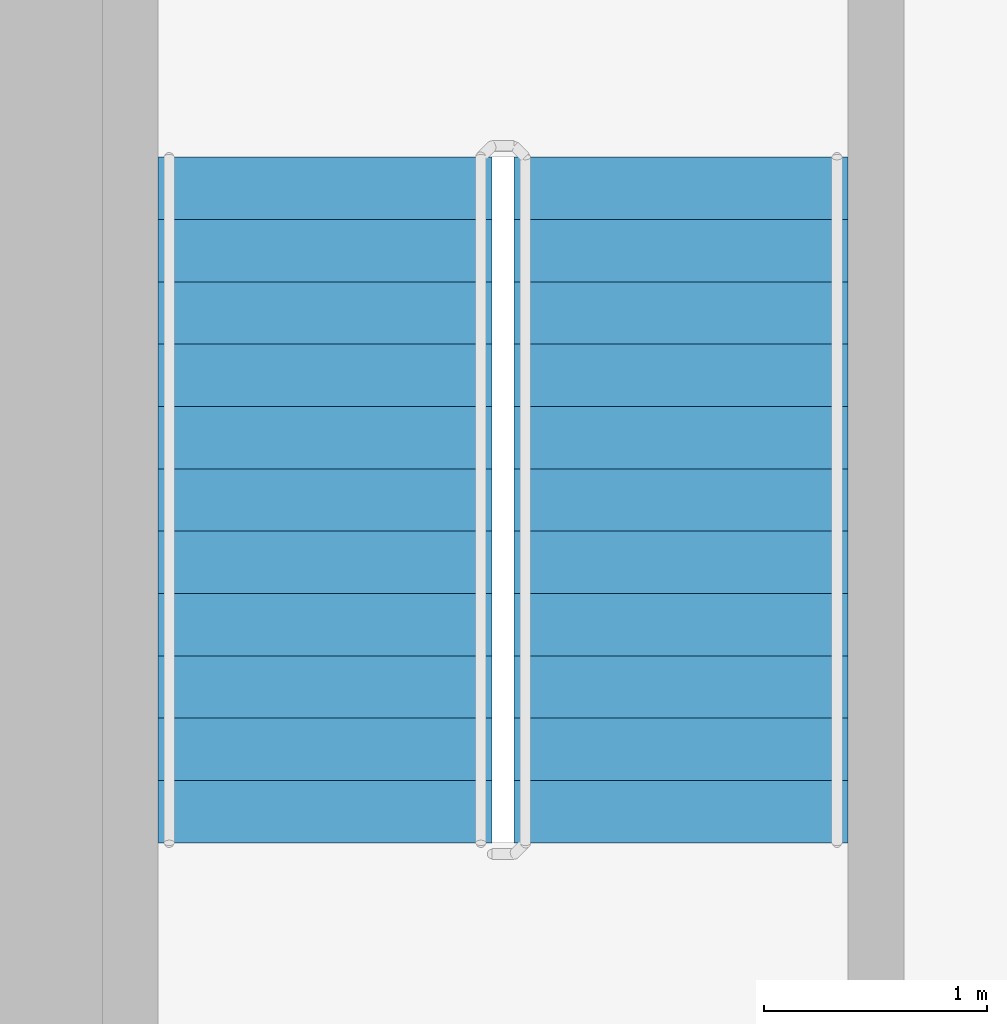
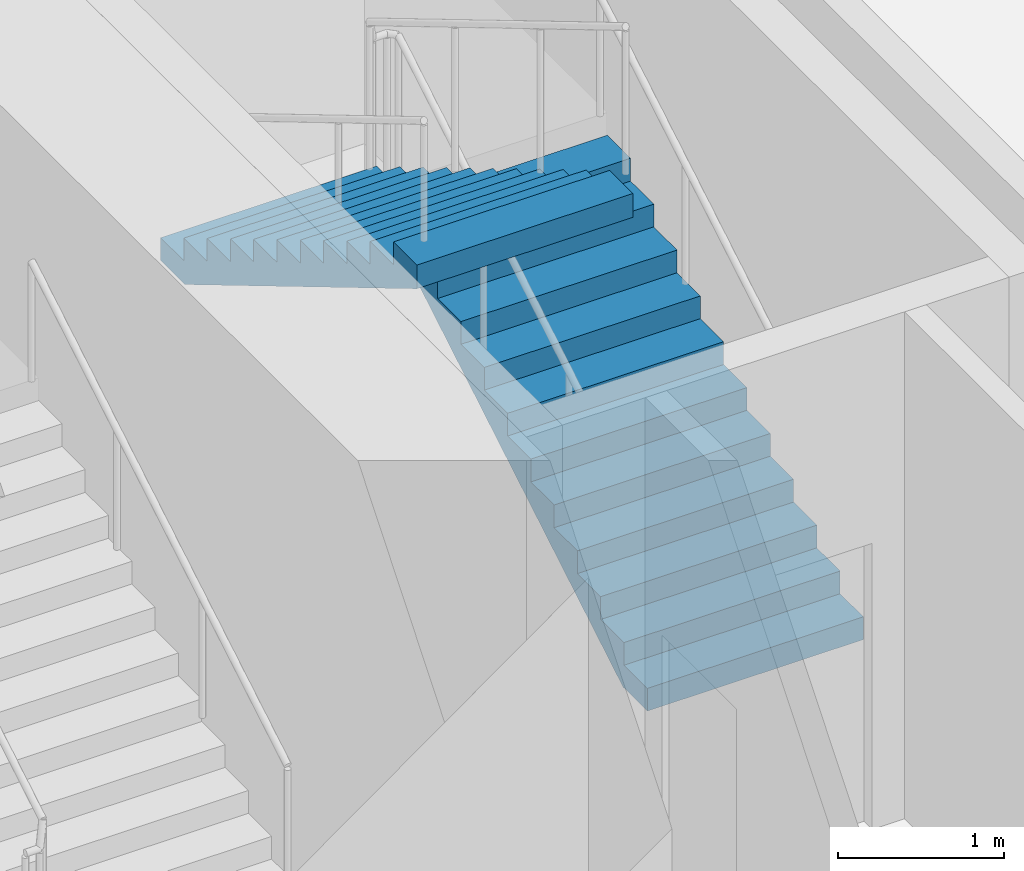
# One storey, part 18 of 26: 2 stair flights, 1 element without a shape of its own.
"""IFC4 building model written with IfcOpenShell, lengths in metres."""

import ifcopenshell
import ifcopenshell.guid

model = None  # the IFC model being written
_history = None  # IfcOwnerHistory: only IFC2X3 demands one
_inside = {}  # id of a spatial element -> (the spatial element, [elements in it])
_under = {}  # id of a project, library or spatial element -> (it, [spatial elements below it])
_declared = {}  # id of a project -> (the project, [libraries it declares])
_typed = {}  # id of a type object -> (the type object, [elements of that type])
_made_of = {}  # id of a material, layer set ... -> (it, [elements and type objects made of it])


def new_model(schema):
    """Start an empty IFC model of exactly this schema.

    Asked for "IFC4X3", IfcOpenShell would pick the latest addendum, in which some entities
    have other attributes; the version numbers below select the first issue.
    IFC2X3 requires an IfcOwnerHistory on every rooted entity: one is made here for all.
    """
    global model, _history
    if schema == "IFC4X3":
        model = ifcopenshell.file(schema_version=(4, 3, 0, 0))
    else:
        model = ifcopenshell.file(schema=schema)
    _inside.clear()
    _under.clear()
    _declared.clear()
    _typed.clear()
    _made_of.clear()
    _history = None
    if model.schema == "IFC2X3":
        org = make("IfcOrganization", Name="unknown")
        user = make(
            "IfcPersonAndOrganization",
            ThePerson=make("IfcPerson", FamilyName="unknown"),
            TheOrganization=org,
        )
        app = make(
            "IfcApplication",
            ApplicationDeveloper=org,
            Version="unknown",
            ApplicationFullName="unknown",
            ApplicationIdentifier="unknown",
        )
        _history = make(
            "IfcOwnerHistory",
            OwningUser=user,
            OwningApplication=app,
            ChangeAction="ADDED",
            CreationDate=0,
        )
    return model


def make(cls, **values):
    """One entity of the class cls with the attributes given. An attribute that is None is left unset."""
    return model.create_entity(
        cls, **{name: value for name, value in values.items() if value is not None}
    )


def rooted(cls, **values):
    """An entity with a GlobalId (a new one), such as an element, a storey or a relation."""
    return make(cls, GlobalId=ifcopenshell.guid.new(), OwnerHistory=_history, **values)


def si_unit(unit_type, name, prefix=None):
    """IfcSIUnit, for example si_unit("LENGTHUNIT", "METRE", prefix="MILLI")."""
    return make("IfcSIUnit", UnitType=unit_type, Prefix=prefix, Name=name)


def assignment(units):
    """IfcUnitAssignment: the units of a project."""
    return None if units is None else make("IfcUnitAssignment", Units=units)


def point(xyz):
    """IfcCartesianPoint."""
    return None if xyz is None else make("IfcCartesianPoint", Coordinates=xyz)


def direction(xyz):
    """IfcDirection."""
    return None if xyz is None else make("IfcDirection", DirectionRatios=xyz)


def frame(location, z_axis=None, x_axis=None):
    """IfcAxis2Placement3D, a coordinate frame: its origin and axes. An axis left out is left unset."""
    return make(
        "IfcAxis2Placement3D",
        Location=point(location),
        Axis=direction(z_axis),
        RefDirection=direction(x_axis),
    )


def origin():
    """The frame at (0, 0, 0) with its axes left unset."""
    return frame((0.0, 0.0, 0.0))


def place(relative_to, where):
    """IfcLocalPlacement: puts the frame where relative to a parent placement (None: the world)."""
    return make(
        "IfcLocalPlacement", PlacementRelTo=relative_to, RelativePlacement=where
    )


def context(
    kind, dimensions, precision=None, world=None, true_north=None, identifier=None
):
    """IfcGeometricRepresentationContext, for example the 3D "Model" context."""
    return make(
        "IfcGeometricRepresentationContext",
        ContextIdentifier=identifier,
        ContextType=kind,
        CoordinateSpaceDimension=dimensions,
        Precision=precision,
        WorldCoordinateSystem=world,
        TrueNorth=true_north,
    )


def subcontext(parent, identifier, kind, view, scale=None):
    """IfcGeometricRepresentationSubContext, for example "Body" below "Model"."""
    return make(
        "IfcGeometricRepresentationSubContext",
        ContextIdentifier=identifier,
        ContextType=kind,
        ParentContext=parent,
        TargetScale=scale,
        TargetView=view,
    )


def project(units=None, contexts=None):
    """IfcProject with its units and contexts."""
    return rooted(
        "IfcProject",
        Name="project",
        RepresentationContexts=contexts,
        UnitsInContext=assignment(units),
    )


def spatial(cls, under=None, at=None, **own):
    """A site, building, storey or space (cls), placed at a placement, below another one or the project."""
    s = rooted(cls, ObjectPlacement=at, **own)
    if under is not None:
        _under.setdefault(under.id(), (under, []))[1].append(s)
    return s


def point_list(points):
    """IfcCartesianPointList2D or 3D."""
    cls = (
        "IfcCartesianPointList2D" if len(points[0]) == 2 else "IfcCartesianPointList3D"
    )
    return make(cls, CoordList=points)


def triangles(points, corners, closed=None, point_numbers=None):
    """IfcTriangulatedFaceSet: each triangle names its three corners, points numbered from 1."""
    return make(
        "IfcTriangulatedFaceSet",
        Coordinates=point_list(points),
        Closed=closed,
        CoordIndex=corners,
        PnIndex=point_numbers,
    )


def shape(context_of_items, identifier, shape_type, items):
    """IfcShapeRepresentation: the items that make up one representation, for example the "Body"."""
    return make(
        "IfcShapeRepresentation",
        ContextOfItems=context_of_items,
        RepresentationIdentifier=identifier,
        RepresentationType=shape_type,
        Items=items,
    )


def source(mapping_origin, context_of_items, identifier, shape_type, items):
    """IfcRepresentationMap: a shape defined once, which mapped items show again and again."""
    return make(
        "IfcRepresentationMap",
        MappingOrigin=mapping_origin,
        MappedRepresentation=shape(context_of_items, identifier, shape_type, items),
    )


def transform(
    local_origin,
    x_axis=None,
    y_axis=None,
    z_axis=None,
    scale=None,
    scale2=None,
    scale3=None,
    uniform=True,
):
    """IfcCartesianTransformationOperator3D, or its non-uniform kind. x_axis, y_axis, z_axis: its Axis1, 2, 3."""
    if uniform:
        return make(
            "IfcCartesianTransformationOperator3D",
            Axis1=direction(x_axis),
            Axis2=direction(y_axis),
            LocalOrigin=point(local_origin),
            Scale=scale,
            Axis3=direction(z_axis),
        )
    return make(
        "IfcCartesianTransformationOperator3DnonUniform",
        Axis1=direction(x_axis),
        Axis2=direction(y_axis),
        LocalOrigin=point(local_origin),
        Scale=scale,
        Axis3=direction(z_axis),
        Scale2=scale2,
        Scale3=scale3,
    )


def mapped(mapping_source, mapping_target):
    """IfcMappedItem: shows the shape of a source again, moved by a transform."""
    return make(
        "IfcMappedItem", MappingSource=mapping_source, MappingTarget=mapping_target
    )


def material(Name=None, Category=None):
    """IfcMaterial."""
    return make("IfcMaterial", Name=Name, Category=Category)


def made_of(thing, what):
    """Note that an element or type object is made of a material, layer set ...; save() writes the relation."""
    if what is not None:
        _made_of.setdefault(what.id(), (what, []))[1].append(thing)
    return thing


def type_object(cls, material=None, **own):
    """A type object (cls), such as IfcWallType, which elements share."""
    return made_of(rooted(cls, **own), material)


def element(
    cls,
    number,
    at=None,
    inside=None,
    cuts=None,
    type_object=None,
    material=None,
    context=None,
    identifier="Body",
    shape_type=None,
    held_by="IfcProductDefinitionShape",
    body=None,
    shapes=None,
    **own,
):
    """One element of the class cls, such as IfcWall. Its Tag is "e" and its number.

    at: its placement. inside: the storey or other place that contains it. cuts: it is an
    opening in that element (IfcRelVoidsElement). A single representation is given by context,
    identifier, shape_type and body (its items); several are given by shapes. held_by: the class
    of the entity that holds the representations. save() writes the other relations.
    """
    e = rooted(cls, Tag="e%d" % number, ObjectPlacement=at, **own)
    if body is not None:
        shapes = [shape(context, identifier, shape_type, body)]
    if shapes is not None:
        e.Representation = make(held_by, Representations=shapes)
    if inside is not None:
        _inside.setdefault(inside.id(), (inside, []))[1].append(e)
    if cuts is not None:
        rooted(
            "IfcRelVoidsElement", RelatingBuildingElement=cuts, RelatedOpeningElement=e
        )
    if type_object is not None:
        _typed.setdefault(type_object.id(), (type_object, []))[1].append(e)
    return made_of(e, material)


def aggregate(whole, parts):
    """IfcRelAggregates: a whole, such as a stair, and the parts it consists of."""
    return rooted("IfcRelAggregates", RelatingObject=whole, RelatedObjects=parts)


def save(model, path):
    """Write the relations noted so far, then the file.

    IfcRelAggregates (storeys below a building ...), IfcRelContainedInSpatialStructure (elements
    in a storey), IfcRelDefinesByType, IfcRelAssociatesMaterial and IfcRelDeclares: one each for
    every whole, place, type object, material and project.
    """
    for whole, parts in _under.values():
        aggregate(whole, parts)
    for where, things in _inside.values():
        rooted(
            "IfcRelContainedInSpatialStructure",
            RelatedElements=things,
            RelatingStructure=where,
        )
    for kind, things in _typed.values():
        rooted("IfcRelDefinesByType", RelatedObjects=things, RelatingType=kind)
    for what, things in _made_of.values():
        rooted("IfcRelAssociatesMaterial", RelatedObjects=things, RelatingMaterial=what)
    for by, libraries in _declared.values():
        rooted("IfcRelDeclares", RelatingContext=by, RelatedDefinitions=libraries)
    model.write(path)


model = new_model("IFC4")

# Units and contexts
model_context = context("Model", 3, precision=1e-05, world=origin(), true_north=direction((0.0, 1.0)))
body_context = subcontext(model_context, "Body", "Model", "MODEL_VIEW")
ifc_project = project(units=[si_unit("LENGTHUNIT", "METRE"), si_unit("AREAUNIT", "SQUARE_METRE"), si_unit("VOLUMEUNIT", "CUBIC_METRE"), si_unit("PLANEANGLEUNIT", "RADIAN"), si_unit("MASSUNIT", "GRAM", prefix="KILO")], contexts=[model_context])

# Site, building, storey
site_placement = place(None, origin())
site = spatial("IfcSite", under=ifc_project, at=site_placement, CompositionType="ELEMENT")
building_placement = place(site_placement, origin())
building = spatial("IfcBuilding", under=site, at=building_placement, Name="Kilnfold Tower and Market Hall", CompositionType="ELEMENT")
storey_placement = place(building_placement, frame((0.0, 0.0, 83.199951171875)))
storey = spatial("IfcBuildingStorey", under=building, at=storey_placement, Name="L19", CompositionType="ELEMENT", Elevation=83.199951171875)

# Stair, stair flights
ifc_material_1 = material(Name="Concrete C40/50", Category="concrete")
stair_type = type_object("IfcStairType", Name="CORE STAIR 1500", PredefinedType="HALF_TURN_STAIR", material=ifc_material_1)
stair_placement = place(storey_placement, origin())
stair = element("IfcStair", 1, at=stair_placement, inside=storey, type_object=stair_type, Name="L19 ST5", PredefinedType="HALF_TURN_STAIR")
ifc_material_2 = material(Name="Concrete C40/50", Category="concrete")
stair_flight_type = type_object("IfcStairFlightType", Name="CORE STAIR FLIGHT 1500", PredefinedType="STRAIGHT", material=ifc_material_2)
shared_shape = source(origin(), body_context, "Body", "Tessellation", [
    triangles([(0.0, 0.75, 0.0), (0.0, 0.65625, 0.0), (0.0, 0.5625, 0.0), (0.0, 0.46875, 0.0), (0.0, 0.375, 0.0), (0.0, 0.28125, 0.0), (0.0, 0.1875, 0.0), (0.0, 0.09375, 0.0), (0.0, 0.0, 0.0), (0.0, -0.09375, 0.0), (0.0, -0.1875, 0.0), (0.0, -0.28125, 0.0), (0.0, -0.375, 0.0), (0.0, -0.46875, 0.0), (0.0, -0.5625, 0.0), (0.0, -0.65625, 0.0), (0.0, -0.75, 0.0), (0.0, 0.75, 0.166748046875), (0.0, 0.65625, 0.166748046875), (0.0, 0.5625, 0.166748046875), (0.0, 0.46875, 0.166748046875), (0.0, 0.375, 0.166748046875), (0.0, 0.28125, 0.166748046875), (0.0, 0.1875, 0.166748046875), (0.0, 0.09375, 0.166748046875), (0.0, 0.0, 0.166748046875), (0.0, -0.09375, 0.166748046875), (0.0, -0.1875, 0.166748046875), (0.0, -0.28125, 0.166748046875), (0.0, -0.375, 0.166748046875), (0.0, -0.46875, 0.166748046875), (0.0, -0.5625, 0.166748046875), (0.0, -0.65625, 0.166748046875), (0.0, -0.75, 0.166748046875), (0.280029296875, 0.75, 0.166748046875), (0.280029296875, 0.65625, 0.166748046875), (0.280029296875, 0.5625, 0.166748046875), (0.280029296875, 0.46875, 0.166748046875), (0.280029296875, 0.375, 0.166748046875), (0.280029296875, 0.28125, 0.166748046875), (0.280029296875, 0.1875, 0.166748046875), (0.280029296875, 0.09375, 0.166748046875), (0.280029296875, 0.0, 0.166748046875), (0.280029296875, -0.09375, 0.166748046875), (0.280029296875, -0.1875, 0.166748046875), (0.280029296875, -0.28125, 0.166748046875), (0.280029296875, -0.375, 0.166748046875), (0.280029296875, -0.46875, 0.166748046875), (0.280029296875, -0.5625, 0.166748046875), (0.280029296875, -0.65625, 0.166748046875), (0.280029296875, -0.75, 0.166748046875), (0.280029296875, 0.75, 0.333251953125), (0.280029296875, 0.65625, 0.333251953125), (0.280029296875, 0.5625, 0.333251953125), (0.280029296875, 0.46875, 0.333251953125), (0.280029296875, 0.375, 0.333251953125), (0.280029296875, 0.28125, 0.333251953125), (0.280029296875, 0.1875, 0.333251953125), (0.280029296875, 0.09375, 0.333251953125), (0.280029296875, 0.0, 0.333251953125), (0.280029296875, -0.09375, 0.333251953125), (0.280029296875, -0.1875, 0.333251953125), (0.280029296875, -0.28125, 0.333251953125), (0.280029296875, -0.375, 0.333251953125), (0.280029296875, -0.46875, 0.333251953125), (0.280029296875, -0.5625, 0.333251953125), (0.280029296875, -0.65625, 0.333251953125), (0.280029296875, -0.75, 0.333251953125), (0.56005859375, 0.75, 0.333251953125), (0.56005859375, 0.65625, 0.333251953125), (0.56005859375, 0.5625, 0.333251953125), (0.56005859375, 0.46875, 0.333251953125), (0.56005859375, 0.375, 0.333251953125), (0.56005859375, 0.28125, 0.333251953125), (0.56005859375, 0.1875, 0.333251953125), (0.56005859375, 0.09375, 0.333251953125), (0.56005859375, 0.0, 0.333251953125), (0.56005859375, -0.09375, 0.333251953125), (0.56005859375, -0.1875, 0.333251953125), (0.56005859375, -0.28125, 0.333251953125), (0.56005859375, -0.375, 0.333251953125), (0.56005859375, -0.46875, 0.333251953125), (0.56005859375, -0.5625, 0.333251953125), (0.56005859375, -0.65625, 0.333251953125), (0.56005859375, -0.75, 0.333251953125), (0.56005859375, 0.75, 0.5), (0.56005859375, 0.65625, 0.5), (0.56005859375, 0.5625, 0.5), (0.56005859375, 0.46875, 0.5), (0.56005859375, 0.375, 0.5), (0.56005859375, 0.28125, 0.5), (0.56005859375, 0.1875, 0.5), (0.56005859375, 0.09375, 0.5), (0.56005859375, 0.0, 0.5), (0.56005859375, -0.09375, 0.5), (0.56005859375, -0.1875, 0.5), (0.56005859375, -0.28125, 0.5), (0.56005859375, -0.375, 0.5), (0.56005859375, -0.46875, 0.5), (0.56005859375, -0.5625, 0.5), (0.56005859375, -0.65625, 0.5), (0.56005859375, -0.75, 0.5), (0.840087890625, 0.75, 0.5), (0.840087890625, 0.65625, 0.5), (0.840087890625, 0.5625, 0.5), (0.840087890625, 0.46875, 0.5), (0.840087890625, 0.375, 0.5), (0.840087890625, 0.28125, 0.5), (0.840087890625, 0.1875, 0.5), (0.840087890625, 0.09375, 0.5), (0.840087890625, 0.0, 0.5), (0.840087890625, -0.09375, 0.5), (0.840087890625, -0.1875, 0.5), (0.840087890625, -0.28125, 0.5), (0.840087890625, -0.375, 0.5), (0.840087890625, -0.46875, 0.5), (0.840087890625, -0.5625, 0.5), (0.840087890625, -0.65625, 0.5), (0.840087890625, -0.75, 0.5), (0.840087890625, 0.75, 0.666748046875), (0.840087890625, 0.65625, 0.666748046875), (0.840087890625, 0.5625, 0.666748046875), (0.840087890625, 0.46875, 0.666748046875), (0.840087890625, 0.375, 0.666748046875), (0.840087890625, 0.28125, 0.666748046875), (0.840087890625, 0.1875, 0.666748046875), (0.840087890625, 0.09375, 0.666748046875), (0.840087890625, 0.0, 0.666748046875), (0.840087890625, -0.09375, 0.666748046875), (0.840087890625, -0.1875, 0.666748046875), (0.840087890625, -0.28125, 0.666748046875), (0.840087890625, -0.375, 0.666748046875), (0.840087890625, -0.46875, 0.666748046875), (0.840087890625, -0.5625, 0.666748046875), (0.840087890625, -0.65625, 0.666748046875), (0.840087890625, -0.75, 0.666748046875), (1.1201171875, 0.75, 0.666748046875), (1.1201171875, 0.65625, 0.666748046875), (1.1201171875, 0.5625, 0.666748046875), (1.1201171875, 0.46875, 0.666748046875), (1.1201171875, 0.375, 0.666748046875), (1.1201171875, 0.28125, 0.666748046875), (1.1201171875, 0.1875, 0.666748046875), (1.1201171875, 0.09375, 0.666748046875), (1.1201171875, 0.0, 0.666748046875), (1.1201171875, -0.09375, 0.666748046875), (1.1201171875, -0.1875, 0.666748046875), (1.1201171875, -0.28125, 0.666748046875), (1.1201171875, -0.375, 0.666748046875), (1.1201171875, -0.46875, 0.666748046875), (1.1201171875, -0.5625, 0.666748046875), (1.1201171875, -0.65625, 0.666748046875), (1.1201171875, -0.75, 0.666748046875), (1.1201171875, 0.75, 0.833251953125), (1.1201171875, 0.65625, 0.833251953125), (1.1201171875, 0.5625, 0.833251953125), (1.1201171875, 0.46875, 0.833251953125), (1.1201171875, 0.375, 0.833251953125), (1.1201171875, 0.28125, 0.833251953125), (1.1201171875, 0.1875, 0.833251953125), (1.1201171875, 0.09375, 0.833251953125), (1.1201171875, 0.0, 0.833251953125), (1.1201171875, -0.09375, 0.833251953125), (1.1201171875, -0.1875, 0.833251953125), (1.1201171875, -0.28125, 0.833251953125), (1.1201171875, -0.375, 0.833251953125), (1.1201171875, -0.46875, 0.833251953125), (1.1201171875, -0.5625, 0.833251953125), (1.1201171875, -0.65625, 0.833251953125), (1.1201171875, -0.75, 0.833251953125), (1.39990234375, 0.75, 0.833251953125), (1.39990234375, 0.65625, 0.833251953125), (1.39990234375, 0.5625, 0.833251953125), (1.39990234375, 0.46875, 0.833251953125), (1.39990234375, 0.375, 0.833251953125), (1.39990234375, 0.28125, 0.833251953125), (1.39990234375, 0.1875, 0.833251953125), (1.39990234375, 0.09375, 0.833251953125), (1.39990234375, 0.0, 0.833251953125), (1.39990234375, -0.09375, 0.833251953125), (1.39990234375, -0.1875, 0.833251953125), (1.39990234375, -0.28125, 0.833251953125), (1.39990234375, -0.375, 0.833251953125), (1.39990234375, -0.46875, 0.833251953125), (1.39990234375, -0.5625, 0.833251953125), (1.39990234375, -0.65625, 0.833251953125), (1.39990234375, -0.75, 0.833251953125), (1.39990234375, 0.75, 1.0), (1.39990234375, 0.65625, 1.0), (1.39990234375, 0.5625, 1.0), (1.39990234375, 0.46875, 1.0), (1.39990234375, 0.375, 1.0), (1.39990234375, 0.28125, 1.0), (1.39990234375, 0.1875, 1.0), (1.39990234375, 0.09375, 1.0), (1.39990234375, 0.0, 1.0), (1.39990234375, -0.09375, 1.0), (1.39990234375, -0.1875, 1.0), (1.39990234375, -0.28125, 1.0), (1.39990234375, -0.375, 1.0), (1.39990234375, -0.46875, 1.0), (1.39990234375, -0.5625, 1.0), (1.39990234375, -0.65625, 1.0), (1.39990234375, -0.75, 1.0), (1.679931640625, 0.75, 1.0), (1.679931640625, 0.65625, 1.0), (1.679931640625, 0.5625, 1.0), (1.679931640625, 0.46875, 1.0), (1.679931640625, 0.375, 1.0), (1.679931640625, 0.28125, 1.0), (1.679931640625, 0.1875, 1.0), (1.679931640625, 0.09375, 1.0), (1.679931640625, 0.0, 1.0), (1.679931640625, -0.09375, 1.0), (1.679931640625, -0.1875, 1.0), (1.679931640625, -0.28125, 1.0), (1.679931640625, -0.375, 1.0), (1.679931640625, -0.46875, 1.0), (1.679931640625, -0.5625, 1.0), (1.679931640625, -0.65625, 1.0), (1.679931640625, -0.75, 1.0), (1.679931640625, 0.75, 1.166748046875), (1.679931640625, 0.65625, 1.166748046875), (1.679931640625, 0.5625, 1.166748046875), (1.679931640625, 0.46875, 1.166748046875), (1.679931640625, 0.375, 1.166748046875), (1.679931640625, 0.28125, 1.166748046875), (1.679931640625, 0.1875, 1.166748046875), (1.679931640625, 0.09375, 1.166748046875), (1.679931640625, 0.0, 1.166748046875), (1.679931640625, -0.09375, 1.166748046875), (1.679931640625, -0.1875, 1.166748046875), (1.679931640625, -0.28125, 1.166748046875), (1.679931640625, -0.375, 1.166748046875), (1.679931640625, -0.46875, 1.166748046875), (1.679931640625, -0.5625, 1.166748046875), (1.679931640625, -0.65625, 1.166748046875), (1.679931640625, -0.75, 1.166748046875), (1.9599609375, 0.75, 1.166748046875), (1.9599609375, 0.65625, 1.166748046875), (1.9599609375, 0.5625, 1.166748046875), (1.9599609375, 0.46875, 1.166748046875), (1.9599609375, 0.375, 1.166748046875), (1.9599609375, 0.28125, 1.166748046875), (1.9599609375, 0.1875, 1.166748046875), (1.9599609375, 0.09375, 1.166748046875), (1.9599609375, 0.0, 1.166748046875), (1.9599609375, -0.09375, 1.166748046875), (1.9599609375, -0.1875, 1.166748046875), (1.9599609375, -0.28125, 1.166748046875), (1.9599609375, -0.375, 1.166748046875), (1.9599609375, -0.46875, 1.166748046875), (1.9599609375, -0.5625, 1.166748046875), (1.9599609375, -0.65625, 1.166748046875), (1.9599609375, -0.75, 1.166748046875), (1.9599609375, 0.75, 1.333251953125), (1.9599609375, 0.65625, 1.333251953125), (1.9599609375, 0.5625, 1.333251953125), (1.9599609375, 0.46875, 1.333251953125), (1.9599609375, 0.375, 1.333251953125), (1.9599609375, 0.28125, 1.333251953125), (1.9599609375, 0.1875, 1.333251953125), (1.9599609375, 0.09375, 1.333251953125), (1.9599609375, 0.0, 1.333251953125), (1.9599609375, -0.09375, 1.333251953125), (1.9599609375, -0.1875, 1.333251953125), (1.9599609375, -0.28125, 1.333251953125), (1.9599609375, -0.375, 1.333251953125), (1.9599609375, -0.46875, 1.333251953125), (1.9599609375, -0.5625, 1.333251953125), (1.9599609375, -0.65625, 1.333251953125), (1.9599609375, -0.75, 1.333251953125), (2.239990234375, 0.75, 1.333251953125), (2.239990234375, 0.65625, 1.333251953125), (2.239990234375, 0.5625, 1.333251953125), (2.239990234375, 0.46875, 1.333251953125), (2.239990234375, 0.375, 1.333251953125), (2.239990234375, 0.28125, 1.333251953125), (2.239990234375, 0.1875, 1.333251953125), (2.239990234375, 0.09375, 1.333251953125), (2.239990234375, 0.0, 1.333251953125), (2.239990234375, -0.09375, 1.333251953125), (2.239990234375, -0.1875, 1.333251953125), (2.239990234375, -0.28125, 1.333251953125), (2.239990234375, -0.375, 1.333251953125), (2.239990234375, -0.46875, 1.333251953125), (2.239990234375, -0.5625, 1.333251953125), (2.239990234375, -0.65625, 1.333251953125), (2.239990234375, -0.75, 1.333251953125), (2.239990234375, 0.75, 1.5), (2.239990234375, 0.65625, 1.5), (2.239990234375, 0.5625, 1.5), (2.239990234375, 0.46875, 1.5), (2.239990234375, 0.375, 1.5), (2.239990234375, 0.28125, 1.5), (2.239990234375, 0.1875, 1.5), (2.239990234375, 0.09375, 1.5), (2.239990234375, 0.0, 1.5), (2.239990234375, -0.09375, 1.5), (2.239990234375, -0.1875, 1.5), (2.239990234375, -0.28125, 1.5), (2.239990234375, -0.375, 1.5), (2.239990234375, -0.46875, 1.5), (2.239990234375, -0.5625, 1.5), (2.239990234375, -0.65625, 1.5), (2.239990234375, -0.75, 1.5), (2.52001953125, 0.75, 1.5), (2.52001953125, 0.65625, 1.5), (2.52001953125, 0.5625, 1.5), (2.52001953125, 0.46875, 1.5), (2.52001953125, 0.375, 1.5), (2.52001953125, 0.28125, 1.5), (2.52001953125, 0.1875, 1.5), (2.52001953125, 0.09375, 1.5), (2.52001953125, 0.0, 1.5), (2.52001953125, -0.09375, 1.5), (2.52001953125, -0.1875, 1.5), (2.52001953125, -0.28125, 1.5), (2.52001953125, -0.375, 1.5), (2.52001953125, -0.46875, 1.5), (2.52001953125, -0.5625, 1.5), (2.52001953125, -0.65625, 1.5), (2.52001953125, -0.75, 1.5), (2.52001953125, 0.75, 1.666748046875), (2.52001953125, 0.65625, 1.666748046875), (2.52001953125, 0.5625, 1.666748046875), (2.52001953125, 0.46875, 1.666748046875), (2.52001953125, 0.375, 1.666748046875), (2.52001953125, 0.28125, 1.666748046875), (2.52001953125, 0.1875, 1.666748046875), (2.52001953125, 0.09375, 1.666748046875), (2.52001953125, 0.0, 1.666748046875), (2.52001953125, -0.09375, 1.666748046875), (2.52001953125, -0.1875, 1.666748046875), (2.52001953125, -0.28125, 1.666748046875), (2.52001953125, -0.375, 1.666748046875), (2.52001953125, -0.46875, 1.666748046875), (2.52001953125, -0.5625, 1.666748046875), (2.52001953125, -0.65625, 1.666748046875), (2.52001953125, -0.75, 1.666748046875), (2.800048828125, 0.75, 1.666748046875), (2.800048828125, 0.65625, 1.666748046875), (2.800048828125, 0.5625, 1.666748046875), (2.800048828125, 0.46875, 1.666748046875), (2.800048828125, 0.375, 1.666748046875), (2.800048828125, 0.28125, 1.666748046875), (2.800048828125, 0.1875, 1.666748046875), (2.800048828125, 0.09375, 1.666748046875), (2.800048828125, 0.0, 1.666748046875), (2.800048828125, -0.09375, 1.666748046875), (2.800048828125, -0.1875, 1.666748046875), (2.800048828125, -0.28125, 1.666748046875), (2.800048828125, -0.375, 1.666748046875), (2.800048828125, -0.46875, 1.666748046875), (2.800048828125, -0.5625, 1.666748046875), (2.800048828125, -0.65625, 1.666748046875), (2.800048828125, -0.75, 1.666748046875), (2.800048828125, 0.75, 1.833251953125), (2.800048828125, 0.65625, 1.833251953125), (2.800048828125, 0.5625, 1.833251953125), (2.800048828125, 0.46875, 1.833251953125), (2.800048828125, 0.375, 1.833251953125), (2.800048828125, 0.28125, 1.833251953125), (2.800048828125, 0.1875, 1.833251953125), (2.800048828125, 0.09375, 1.833251953125), (2.800048828125, 0.0, 1.833251953125), (2.800048828125, -0.09375, 1.833251953125), (2.800048828125, -0.1875, 1.833251953125), (2.800048828125, -0.28125, 1.833251953125), (2.800048828125, -0.375, 1.833251953125), (2.800048828125, -0.46875, 1.833251953125), (2.800048828125, -0.5625, 1.833251953125), (2.800048828125, -0.65625, 1.833251953125), (2.800048828125, -0.75, 1.833251953125), (3.080078125, 0.75, 1.833251953125), (3.080078125, 0.65625, 1.833251953125), (3.080078125, 0.5625, 1.833251953125), (3.080078125, 0.46875, 1.833251953125), (3.080078125, 0.375, 1.833251953125), (3.080078125, 0.28125, 1.833251953125), (3.080078125, 0.1875, 1.833251953125), (3.080078125, 0.09375, 1.833251953125), (3.080078125, 0.0, 1.833251953125), (3.080078125, -0.09375, 1.833251953125), (3.080078125, -0.1875, 1.833251953125), (3.080078125, -0.28125, 1.833251953125), (3.080078125, -0.375, 1.833251953125), (3.080078125, -0.46875, 1.833251953125), (3.080078125, -0.5625, 1.833251953125), (3.080078125, -0.65625, 1.833251953125), (3.080078125, -0.75, 1.833251953125), (3.080078125, 0.75, 1.658935546875), (3.080078125, 0.65625, 1.658935546875), (3.080078125, 0.5625, 1.658935546875), (3.080078125, 0.46875, 1.658935546875), (3.080078125, 0.375, 1.658935546875), (3.080078125, 0.28125, 1.658935546875), (3.080078125, 0.1875, 1.658935546875), (3.080078125, 0.09375, 1.658935546875), (3.080078125, 0.0, 1.658935546875), (3.080078125, -0.09375, 1.658935546875), (3.080078125, -0.1875, 1.658935546875), (3.080078125, -0.28125, 1.658935546875), (3.080078125, -0.375, 1.658935546875), (3.080078125, -0.46875, 1.658935546875), (3.080078125, -0.5625, 1.658935546875), (3.080078125, -0.65625, 1.658935546875), (3.080078125, -0.75, 1.658935546875), (0.29296875, 0.75, 0.0), (0.29296875, 0.65625, 0.0), (0.29296875, 0.5625, 0.0), (0.29296875, 0.46875, 0.0), (0.29296875, 0.375, 0.0), (0.29296875, 0.28125, 0.0), (0.29296875, 0.1875, 0.0), (0.29296875, 0.09375, 0.0), (0.29296875, 0.0, 0.0), (0.29296875, -0.09375, 0.0), (0.29296875, -0.1875, 0.0), (0.29296875, -0.28125, 0.0), (0.29296875, -0.375, 0.0), (0.29296875, -0.46875, 0.0), (0.29296875, -0.5625, 0.0), (0.29296875, -0.65625, 0.0), (0.29296875, -0.75, 0.0)], [[1, 392, 409], [17, 425, 408], [392, 358, 375], [408, 391, 374], [392, 341, 358], [408, 374, 357], [392, 324, 341], [408, 357, 340], [392, 307, 324], [408, 340, 323], [307, 273, 290], [323, 306, 289], [392, 273, 307], [408, 323, 289], [273, 239, 256], [289, 272, 255], [392, 239, 273], [408, 289, 255], [239, 205, 222], [255, 238, 221], [392, 205, 239], [408, 255, 221], [205, 171, 188], [221, 204, 187], [392, 171, 205], [408, 221, 187], [171, 137, 154], [187, 170, 153], [392, 137, 171], [408, 187, 153], [137, 103, 120], [153, 136, 119], [392, 103, 137], [408, 153, 119], [103, 69, 86], [119, 102, 85], [392, 69, 103], [408, 119, 85], [1, 69, 392], [17, 408, 85], [69, 35, 52], [85, 68, 51], [1, 35, 69], [17, 85, 51], [35, 1, 18], [51, 34, 17], [1, 19, 18], [1, 2, 19], [2, 20, 19], [2, 3, 20], [3, 21, 20], [3, 4, 21], [4, 22, 21], [4, 5, 22], [5, 23, 22], [5, 6, 23], [6, 24, 23], [6, 7, 24], [7, 25, 24], [7, 8, 25], [8, 26, 25], [8, 9, 26], [9, 27, 26], [9, 10, 27], [10, 28, 27], [10, 11, 28], [11, 29, 28], [11, 12, 29], [12, 30, 29], [12, 13, 30], [13, 31, 30], [13, 14, 31], [14, 32, 31], [14, 15, 32], [15, 33, 32], [15, 16, 33], [16, 34, 33], [16, 17, 34], [18, 36, 35], [18, 19, 36], [19, 37, 36], [19, 20, 37], [20, 38, 37], [20, 21, 38], [21, 39, 38], [21, 22, 39], [22, 40, 39], [22, 23, 40], [23, 41, 40], [23, 24, 41], [24, 42, 41], [24, 25, 42], [25, 43, 42], [25, 26, 43], [26, 44, 43], [26, 27, 44], [27, 45, 44], [27, 28, 45], [28, 46, 45], [28, 29, 46], [29, 47, 46], [29, 30, 47], [30, 48, 47], [30, 31, 48], [31, 49, 48], [31, 32, 49], [32, 50, 49], [32, 33, 50], [33, 51, 50], [33, 34, 51], [35, 53, 52], [35, 36, 53], [36, 54, 53], [36, 37, 54], [37, 55, 54], [37, 38, 55], [38, 56, 55], [38, 39, 56], [39, 57, 56], [39, 40, 57], [40, 58, 57], [40, 41, 58], [41, 59, 58], [41, 42, 59], [42, 60, 59], [42, 43, 60], [43, 61, 60], [43, 44, 61], [44, 62, 61], [44, 45, 62], [45, 63, 62], [45, 46, 63], [46, 64, 63], [46, 47, 64], [47, 65, 64], [47, 48, 65], [48, 66, 65], [48, 49, 66], [49, 67, 66], [49, 50, 67], [50, 68, 67], [50, 51, 68], [52, 70, 69], [52, 53, 70], [53, 71, 70], [53, 54, 71], [54, 72, 71], [54, 55, 72], [55, 73, 72], [55, 56, 73], [56, 74, 73], [56, 57, 74], [57, 75, 74], [57, 58, 75], [58, 76, 75], [58, 59, 76], [59, 77, 76], [59, 60, 77], [60, 78, 77], [60, 61, 78], [61, 79, 78], [61, 62, 79], [62, 80, 79], [62, 63, 80], [63, 81, 80], [63, 64, 81], [64, 82, 81], [64, 65, 82], [65, 83, 82], [65, 66, 83], [66, 84, 83], [66, 67, 84], [67, 85, 84], [67, 68, 85], [69, 87, 86], [69, 70, 87], [70, 88, 87], [70, 71, 88], [71, 89, 88], [71, 72, 89], [72, 90, 89], [72, 73, 90], [73, 91, 90], [73, 74, 91], [74, 92, 91], [74, 75, 92], [75, 93, 92], [75, 76, 93], [76, 94, 93], [76, 77, 94], [77, 95, 94], [77, 78, 95], [78, 96, 95], [78, 79, 96], [79, 97, 96], [79, 80, 97], [80, 98, 97], [80, 81, 98], [81, 99, 98], [81, 82, 99], [82, 100, 99], [82, 83, 100], [83, 101, 100], [83, 84, 101], [84, 102, 101], [84, 85, 102], [86, 104, 103], [86, 87, 104], [87, 105, 104], [87, 88, 105], [88, 106, 105], [88, 89, 106], [89, 107, 106], [89, 90, 107], [90, 108, 107], [90, 91, 108], [91, 109, 108], [91, 92, 109], [92, 110, 109], [92, 93, 110], [93, 111, 110], [93, 94, 111], [94, 112, 111], [94, 95, 112], [95, 113, 112], [95, 96, 113], [96, 114, 113], [96, 97, 114], [97, 115, 114], [97, 98, 115], [98, 116, 115], [98, 99, 116], [99, 117, 116], [99, 100, 117], [100, 118, 117], [100, 101, 118], [101, 119, 118], [101, 102, 119], [103, 121, 120], [103, 104, 121], [104, 122, 121], [104, 105, 122], [105, 123, 122], [105, 106, 123], [106, 124, 123], [106, 107, 124], [107, 125, 124], [107, 108, 125], [108, 126, 125], [108, 109, 126], [109, 127, 126], [109, 110, 127], [110, 128, 127], [110, 111, 128], [111, 129, 128], [111, 112, 129], [112, 130, 129], [112, 113, 130], [113, 131, 130], [113, 114, 131], [114, 132, 131], [114, 115, 132], [115, 133, 132], [115, 116, 133], [116, 134, 133], [116, 117, 134], [117, 135, 134], [117, 118, 135], [118, 136, 135], [118, 119, 136], [120, 138, 137], [120, 121, 138], [121, 139, 138], [121, 122, 139], [122, 140, 139], [122, 123, 140], [123, 141, 140], [123, 124, 141], [124, 142, 141], [124, 125, 142], [125, 143, 142], [125, 126, 143], [126, 144, 143], [126, 127, 144], [127, 145, 144], [127, 128, 145], [128, 146, 145], [128, 129, 146], [129, 147, 146], [129, 130, 147], [130, 148, 147], [130, 131, 148], [131, 149, 148], [131, 132, 149], [132, 150, 149], [132, 133, 150], [133, 151, 150], [133, 134, 151], [134, 152, 151], [134, 135, 152], [135, 153, 152], [135, 136, 153], [137, 155, 154], [137, 138, 155], [138, 156, 155], [138, 139, 156], [139, 157, 156], [139, 140, 157], [140, 158, 157], [140, 141, 158], [141, 159, 158], [141, 142, 159], [142, 160, 159], [142, 143, 160], [143, 161, 160], [143, 144, 161], [144, 162, 161], [144, 145, 162], [145, 163, 162], [145, 146, 163], [146, 164, 163], [146, 147, 164], [147, 165, 164], [147, 148, 165], [148, 166, 165], [148, 149, 166], [149, 167, 166], [149, 150, 167], [150, 168, 167], [150, 151, 168], [151, 169, 168], [151, 152, 169], [152, 170, 169], [152, 153, 170], [154, 172, 171], [154, 155, 172], [155, 173, 172], [155, 156, 173], [156, 174, 173], [156, 157, 174], [157, 175, 174], [157, 158, 175], [158, 176, 175], [158, 159, 176], [159, 177, 176], [159, 160, 177], [160, 178, 177], [160, 161, 178], [161, 179, 178], [161, 162, 179], [162, 180, 179], [162, 163, 180], [163, 181, 180], [163, 164, 181], [164, 182, 181], [164, 165, 182], [165, 183, 182], [165, 166, 183], [166, 184, 183], [166, 167, 184], [167, 185, 184], [167, 168, 185], [168, 186, 185], [168, 169, 186], [169, 187, 186], [169, 170, 187], [171, 189, 188], [171, 172, 189], [172, 190, 189], [172, 173, 190], [173, 191, 190], [173, 174, 191], [174, 192, 191], [174, 175, 192], [175, 193, 192], [175, 176, 193], [176, 194, 193], [176, 177, 194], [177, 195, 194], [177, 178, 195], [178, 196, 195], [178, 179, 196], [179, 197, 196], [179, 180, 197], [180, 198, 197], [180, 181, 198], [181, 199, 198], [181, 182, 199], [182, 200, 199], [182, 183, 200], [183, 201, 200], [183, 184, 201], [184, 202, 201], [184, 185, 202], [185, 203, 202], [185, 186, 203], [186, 204, 203], [186, 187, 204], [188, 206, 205], [188, 189, 206], [189, 207, 206], [189, 190, 207], [190, 208, 207], [190, 191, 208], [191, 209, 208], [191, 192, 209], [192, 210, 209], [192, 193, 210], [193, 211, 210], [193, 194, 211], [194, 212, 211], [194, 195, 212], [195, 213, 212], [195, 196, 213], [196, 214, 213], [196, 197, 214], [197, 215, 214], [197, 198, 215], [198, 216, 215], [198, 199, 216], [199, 217, 216], [199, 200, 217], [200, 218, 217], [200, 201, 218], [201, 219, 218], [201, 202, 219], [202, 220, 219], [202, 203, 220], [203, 221, 220], [203, 204, 221], [205, 223, 222], [205, 206, 223], [206, 224, 223], [206, 207, 224], [207, 225, 224], [207, 208, 225], [208, 226, 225], [208, 209, 226], [209, 227, 226], [209, 210, 227], [210, 228, 227], [210, 211, 228], [211, 229, 228], [211, 212, 229], [212, 230, 229], [212, 213, 230], [213, 231, 230], [213, 214, 231], [214, 232, 231], [214, 215, 232], [215, 233, 232], [215, 216, 233], [216, 234, 233], [216, 217, 234], [217, 235, 234], [217, 218, 235], [218, 236, 235], [218, 219, 236], [219, 237, 236], [219, 220, 237], [220, 238, 237], [220, 221, 238], [222, 240, 239], [222, 223, 240], [223, 241, 240], [223, 224, 241], [224, 242, 241], [224, 225, 242], [225, 243, 242], [225, 226, 243], [226, 244, 243], [226, 227, 244], [227, 245, 244], [227, 228, 245], [228, 246, 245], [228, 229, 246], [229, 247, 246], [229, 230, 247], [230, 248, 247], [230, 231, 248], [231, 249, 248], [231, 232, 249], [232, 250, 249], [232, 233, 250], [233, 251, 250], [233, 234, 251], [234, 252, 251], [234, 235, 252], [235, 253, 252], [235, 236, 253], [236, 254, 253], [236, 237, 254], [237, 255, 254], [237, 238, 255], [239, 257, 256], [239, 240, 257], [240, 258, 257], [240, 241, 258], [241, 259, 258], [241, 242, 259], [242, 260, 259], [242, 243, 260], [243, 261, 260], [243, 244, 261], [244, 262, 261], [244, 245, 262], [245, 263, 262], [245, 246, 263], [246, 264, 263], [246, 247, 264], [247, 265, 264], [247, 248, 265], [248, 266, 265], [248, 249, 266], [249, 267, 266], [249, 250, 267], [250, 268, 267], [250, 251, 268], [251, 269, 268], [251, 252, 269], [252, 270, 269], [252, 253, 270], [253, 271, 270], [253, 254, 271], [254, 272, 271], [254, 255, 272], [256, 274, 273], [256, 257, 274], [257, 275, 274], [257, 258, 275], [258, 276, 275], [258, 259, 276], [259, 277, 276], [259, 260, 277], [260, 278, 277], [260, 261, 278], [261, 279, 278], [261, 262, 279], [262, 280, 279], [262, 263, 280], [263, 281, 280], [263, 264, 281], [264, 282, 281], [264, 265, 282], [265, 283, 282], [265, 266, 283], [266, 284, 283], [266, 267, 284], [267, 285, 284], [267, 268, 285], [268, 286, 285], [268, 269, 286], [269, 287, 286], [269, 270, 287], [270, 288, 287], [270, 271, 288], [271, 289, 288], [271, 272, 289], [273, 291, 290], [273, 274, 291], [274, 292, 291], [274, 275, 292], [275, 293, 292], [275, 276, 293], [276, 294, 293], [276, 277, 294], [277, 295, 294], [277, 278, 295], [278, 296, 295], [278, 279, 296], [279, 297, 296], [279, 280, 297], [280, 298, 297], [280, 281, 298], [281, 299, 298], [281, 282, 299], [282, 300, 299], [282, 283, 300], [283, 301, 300], [283, 284, 301], [284, 302, 301], [284, 285, 302], [285, 303, 302], [285, 286, 303], [286, 304, 303], [286, 287, 304], [287, 305, 304], [287, 288, 305], [288, 306, 305], [288, 289, 306], [290, 308, 307], [290, 291, 308], [291, 309, 308], [291, 292, 309], [292, 310, 309], [292, 293, 310], [293, 311, 310], [293, 294, 311], [294, 312, 311], [294, 295, 312], [295, 313, 312], [295, 296, 313], [296, 314, 313], [296, 297, 314], [297, 315, 314], [297, 298, 315], [298, 316, 315], [298, 299, 316], [299, 317, 316], [299, 300, 317], [300, 318, 317], [300, 301, 318], [301, 319, 318], [301, 302, 319], [302, 320, 319], [302, 303, 320], [303, 321, 320], [303, 304, 321], [304, 322, 321], [304, 305, 322], [305, 323, 322], [305, 306, 323], [307, 325, 324], [307, 308, 325], [308, 326, 325], [308, 309, 326], [309, 327, 326], [309, 310, 327], [310, 328, 327], [310, 311, 328], [311, 329, 328], [311, 312, 329], [312, 330, 329], [312, 313, 330], [313, 331, 330], [313, 314, 331], [314, 332, 331], [314, 315, 332], [315, 333, 332], [315, 316, 333], [316, 334, 333], [316, 317, 334], [317, 335, 334], [317, 318, 335], [318, 336, 335], [318, 319, 336], [319, 337, 336], [319, 320, 337], [320, 338, 337], [320, 321, 338], [321, 339, 338], [321, 322, 339], [322, 340, 339], [322, 323, 340], [324, 342, 341], [324, 325, 342], [325, 343, 342], [325, 326, 343], [326, 344, 343], [326, 327, 344], [327, 345, 344], [327, 328, 345], [328, 346, 345], [328, 329, 346], [329, 347, 346], [329, 330, 347], [330, 348, 347], [330, 331, 348], [331, 349, 348], [331, 332, 349], [332, 350, 349], [332, 333, 350], [333, 351, 350], [333, 334, 351], [334, 352, 351], [334, 335, 352], [335, 353, 352], [335, 336, 353], [336, 354, 353], [336, 337, 354], [337, 355, 354], [337, 338, 355], [338, 356, 355], [338, 339, 356], [339, 357, 356], [339, 340, 357], [341, 359, 358], [341, 342, 359], [342, 360, 359], [342, 343, 360], [343, 361, 360], [343, 344, 361], [344, 362, 361], [344, 345, 362], [345, 363, 362], [345, 346, 363], [346, 364, 363], [346, 347, 364], [347, 365, 364], [347, 348, 365], [348, 366, 365], [348, 349, 366], [349, 367, 366], [349, 350, 367], [350, 368, 367], [350, 351, 368], [351, 369, 368], [351, 352, 369], [352, 370, 369], [352, 353, 370], [353, 371, 370], [353, 354, 371], [354, 372, 371], [354, 355, 372], [355, 373, 372], [355, 356, 373], [356, 374, 373], [356, 357, 374], [358, 376, 375], [358, 359, 376], [359, 377, 376], [359, 360, 377], [360, 378, 377], [360, 361, 378], [361, 379, 378], [361, 362, 379], [362, 380, 379], [362, 363, 380], [363, 381, 380], [363, 364, 381], [364, 382, 381], [364, 365, 382], [365, 383, 382], [365, 366, 383], [366, 384, 383], [366, 367, 384], [367, 385, 384], [367, 368, 385], [368, 386, 385], [368, 369, 386], [369, 387, 386], [369, 370, 387], [370, 388, 387], [370, 371, 388], [371, 389, 388], [371, 372, 389], [372, 390, 389], [372, 373, 390], [373, 391, 390], [373, 374, 391], [375, 393, 392], [375, 376, 393], [376, 394, 393], [376, 377, 394], [377, 395, 394], [377, 378, 395], [378, 396, 395], [378, 379, 396], [379, 397, 396], [379, 380, 397], [380, 398, 397], [380, 381, 398], [381, 399, 398], [381, 382, 399], [382, 400, 399], [382, 383, 400], [383, 401, 400], [383, 384, 401], [384, 402, 401], [384, 385, 402], [385, 403, 402], [385, 386, 403], [386, 404, 403], [386, 387, 404], [387, 405, 404], [387, 388, 405], [388, 406, 405], [388, 389, 406], [389, 407, 406], [389, 390, 407], [390, 408, 407], [390, 391, 408], [392, 410, 409], [392, 393, 410], [393, 411, 410], [393, 394, 411], [394, 412, 411], [394, 395, 412], [395, 413, 412], [395, 396, 413], [396, 414, 413], [396, 397, 414], [397, 415, 414], [397, 398, 415], [398, 416, 415], [398, 399, 416], [399, 417, 416], [399, 400, 417], [400, 418, 417], [400, 401, 418], [401, 419, 418], [401, 402, 419], [402, 420, 419], [402, 403, 420], [403, 421, 420], [403, 404, 421], [404, 422, 421], [404, 405, 422], [405, 423, 422], [405, 406, 423], [406, 424, 423], [406, 407, 424], [407, 425, 424], [407, 408, 425], [409, 2, 1], [409, 410, 2], [410, 3, 2], [410, 411, 3], [411, 4, 3], [411, 412, 4], [412, 5, 4], [412, 413, 5], [413, 6, 5], [413, 414, 6], [414, 7, 6], [414, 415, 7], [415, 8, 7], [415, 416, 8], [416, 9, 8], [416, 417, 9], [417, 10, 9], [417, 418, 10], [418, 11, 10], [418, 419, 11], [419, 12, 11], [419, 420, 12], [420, 13, 12], [420, 421, 13], [421, 14, 13], [421, 422, 14], [422, 15, 14], [422, 423, 15], [423, 16, 15], [423, 424, 16], [424, 17, 16], [424, 425, 17]], closed=True),
])
stair_flight_1_placement = place(storey_placement, frame((20.699951171875, 11.5, 0.0), z_axis=(0.0, 0.0, 1.0), x_axis=(0.0, 1.0, 0.0)))
stair_flight_1 = element("IfcStairFlight", 2, at=stair_flight_1_placement, type_object=stair_flight_type, Name="ST5 flight 1", NumberOfRisers=12, NumberOfTreads=11, PredefinedType="STRAIGHT", RiserHeight=0.166666667, TreadLength=0.28, context=body_context, shape_type="MappedRepresentation", body=[
    mapped(shared_shape, transform((0.0, 0.0, 0.0))),
])
stair_flight_2_placement = place(storey_placement, frame((19.10009765625, 14.580078125, 2.0), z_axis=(0.0, 0.0, 1.0), x_axis=(0.0, -1.0, 0.0)))
stair_flight_2 = element("IfcStairFlight", 3, at=stair_flight_2_placement, type_object=stair_flight_type, Name="ST5 flight 2", NumberOfRisers=12, NumberOfTreads=11, PredefinedType="STRAIGHT", RiserHeight=0.166666667, TreadLength=0.28, context=body_context, shape_type="MappedRepresentation", body=[
    mapped(shared_shape, transform((0.0, 0.0, 0.0))),
])
aggregate(stair, [stair_flight_1, stair_flight_2])

save(model, "model.ifc")
